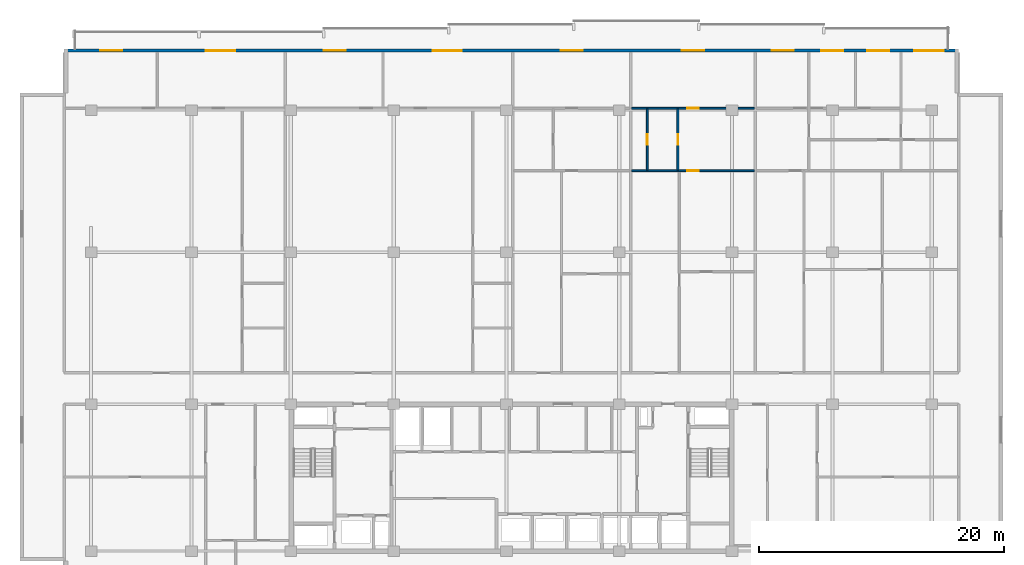
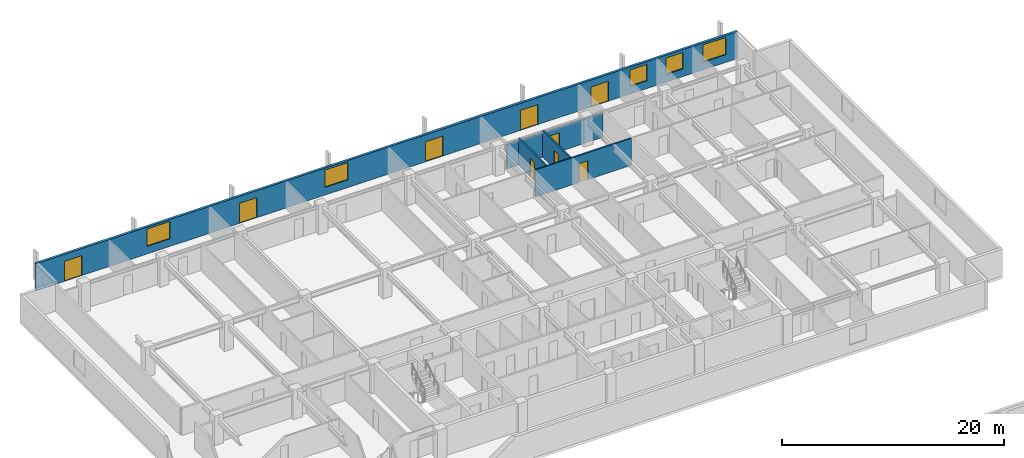
# One storey, part 14 of 21: 9 doors, 5 walls, 5 windows, 14 openings.
"""IFC4 building model written with IfcOpenShell, lengths in metres."""

from ifc_helpers import new_model, si_unit, direction, frame, frame_2d, origin, place, context, subcontext, project, spatial, rectangle, extrude, material, layer, layer_set, type_object, element, fill, save


model = new_model("IFC4")

# Units and contexts
model_context = context("Model", 3, precision=1e-05, world=origin(), true_north=direction((0.0, 1.0)))
body_context = subcontext(model_context, "Body", "Model", "MODEL_VIEW")
ifc_project = project(units=[si_unit("LENGTHUNIT", "METRE"), si_unit("AREAUNIT", "SQUARE_METRE"), si_unit("VOLUMEUNIT", "CUBIC_METRE"), si_unit("PLANEANGLEUNIT", "RADIAN"), si_unit("MASSUNIT", "GRAM", prefix="KILO")], contexts=[model_context])

# Site, building, storey
site_placement = place(None, origin())
site = spatial("IfcSite", under=ifc_project, at=site_placement, CompositionType="ELEMENT")
building_placement = place(site_placement, origin())
building = spatial("IfcBuilding", under=site, at=building_placement, Name="Korimba Cascade Residences", CompositionType="ELEMENT")
storey_placement = place(building_placement, frame((0.0, 0.0, 100.300048828125)))
storey = spatial("IfcBuildingStorey", under=building, at=storey_placement, Name="L28", CompositionType="ELEMENT", Elevation=100.300048828125)

# Wall, openings, doors, windows
ifc_material_1 = material(Name="Precast concrete C40/50", Category="concrete")
ifc_layer_1 = layer(ifc_material_1, 0.25)
ifc_layer_set_1 = layer_set([ifc_layer_1], Name="Precast concrete C40/50")
wall_type_1 = type_object("IfcWallType", Name="EW-LOG-250", PredefinedType="STANDARD", material=ifc_layer_set_1)
wall_1_placement = place(storey_placement, frame((130.60009765625, 96.050048828125, 0.0), z_axis=(0.0, 0.0, 1.0), x_axis=(-1.0, 0.0, 0.0)))
wall_1 = element("IfcWall", 1, at=wall_1_placement, inside=storey, type_object=wall_type_1, Name="L28 T1 Perimeter Stone Wall E06", PredefinedType="STANDARD", context=body_context, shape_type="SweptSolid", body=[
    extrude(rectangle(XDim=73.0, YDim=0.25, at=frame_2d((36.5, 0.0))), origin(), (0.0, 0.0, 1.0), 2.969970703125),
])
opening_1_placement = place(wall_1_placement, frame((68.241943359375, 0.0, 0.0)))
opening_1 = element("IfcOpeningElement", 2, at=opening_1_placement, cuts=wall_1, Name="Opening D-LG1", PredefinedType="OPENING", context=body_context, shape_type="SweptSolid", body=[
    extrude(rectangle(XDim=1.800048828125, YDim=2.199951171875, at=frame_2d((0.89990234375, 1.10009765625))), frame((0.0, 0.135009765625, 0.0), z_axis=(0.0, -1.0, 0.0), x_axis=(1.0, 0.0, 0.0)), (0.0, 0.0, 1.0), 0.27001953125),
])
opening_2_placement = place(wall_1_placement, frame((59.0458984375, 0.0, 0.85009765625)))
opening_2 = element("IfcOpeningElement", 3, at=opening_2_placement, cuts=wall_1, Name="Opening W-01", PredefinedType="OPENING", context=body_context, shape_type="SweptSolid", body=[
    extrude(rectangle(XDim=2.39990234375, YDim=1.89990234375, at=frame_2d((1.199951171875, 0.949951171875))), frame((0.0, 0.135009765625, 0.0), z_axis=(0.0, -1.0, 0.0), x_axis=(1.0, 0.0, 0.0)), (0.0, 0.0, 1.0), 0.27001953125),
])
opening_3_placement = place(wall_1_placement, frame((50.01220703125, 0.0, 0.0)))
opening_3 = element("IfcOpeningElement", 4, at=opening_3_placement, cuts=wall_1, Name="Opening D-LG1", PredefinedType="OPENING", context=body_context, shape_type="SweptSolid", body=[
    extrude(rectangle(XDim=1.800048828125, YDim=2.199951171875, at=frame_2d((0.89990234375, 1.10009765625))), frame((0.0, 0.135009765625, 0.0), z_axis=(0.0, -1.0, 0.0), x_axis=(1.0, 0.0, 0.0)), (0.0, 0.0, 1.0), 0.27001953125),
])
opening_4_placement = place(wall_1_placement, frame((40.535888671875, 0.0, 0.85009765625)))
opening_4 = element("IfcOpeningElement", 5, at=opening_4_placement, cuts=wall_1, Name="Opening W-01", PredefinedType="OPENING", context=body_context, shape_type="SweptSolid", body=[
    extrude(rectangle(XDim=2.39990234375, YDim=1.89990234375, at=frame_2d((1.199951171875, 0.949951171875))), frame((0.0, 0.135009765625, 0.0), z_axis=(0.0, -1.0, 0.0), x_axis=(1.0, 0.0, 0.0)), (0.0, 0.0, 1.0), 0.27001953125),
])
opening_5_placement = place(wall_1_placement, frame((30.67041015625, 0.0, 0.0)))
opening_5 = element("IfcOpeningElement", 6, at=opening_5_placement, cuts=wall_1, Name="Opening D-LG1", PredefinedType="OPENING", context=body_context, shape_type="SweptSolid", body=[
    extrude(rectangle(XDim=1.800048828125, YDim=2.199951171875, at=frame_2d((0.89990234375, 1.10009765625))), frame((0.0, 0.135009765625, 0.0), z_axis=(0.0, -1.0, 0.0), x_axis=(1.0, 0.0, 0.0)), (0.0, 0.0, 1.0), 0.27001953125),
])
opening_6_placement = place(wall_1_placement, frame((20.781005859375, 0.0, 0.0)))
opening_6 = element("IfcOpeningElement", 7, at=opening_6_placement, cuts=wall_1, Name="Opening D-LG1", PredefinedType="OPENING", context=body_context, shape_type="SweptSolid", body=[
    extrude(rectangle(XDim=1.800048828125, YDim=2.199951171875, at=frame_2d((0.89990234375, 1.10009765625))), frame((0.0, 0.135009765625, 0.0), z_axis=(0.0, -1.0, 0.0), x_axis=(1.0, 0.0, 0.0)), (0.0, 0.0, 1.0), 0.27001953125),
])
opening_7_placement = place(wall_1_placement, frame((9.423095703125, 0.0, 0.85009765625)))
opening_7 = element("IfcOpeningElement", 8, at=opening_7_placement, cuts=wall_1, Name="Opening W-02", PredefinedType="OPENING", context=body_context, shape_type="SweptSolid", body=[
    extrude(rectangle(XDim=1.800048828125, YDim=1.800048828125, at=frame_2d((0.89990234375, 0.89990234375))), frame((0.0, 0.135009765625, 0.0), z_axis=(0.0, -1.0, 0.0), x_axis=(1.0, 0.0, 0.0)), (0.0, 0.0, 1.0), 0.27001953125),
])
opening_8_placement = place(wall_1_placement, frame((5.659912109375, 0.0, 0.85009765625)))
opening_8 = element("IfcOpeningElement", 9, at=opening_8_placement, cuts=wall_1, Name="Opening W-02", PredefinedType="OPENING", context=body_context, shape_type="SweptSolid", body=[
    extrude(rectangle(XDim=1.800048828125, YDim=1.800048828125, at=frame_2d((0.89990234375, 0.89990234375))), frame((0.0, 0.135009765625, 0.0), z_axis=(0.0, -1.0, 0.0), x_axis=(1.0, 0.0, 0.0)), (0.0, 0.0, 1.0), 0.27001953125),
])
opening_9_placement = place(wall_1_placement, frame((13.451171875, 0.0, 0.0)))
opening_9 = element("IfcOpeningElement", 10, at=opening_9_placement, cuts=wall_1, Name="Opening D-LG1", PredefinedType="OPENING", context=body_context, shape_type="SweptSolid", body=[
    extrude(rectangle(XDim=1.800048828125, YDim=2.199951171875, at=frame_2d((0.89990234375, 1.10009765625))), frame((0.0, 0.135009765625, 0.0), z_axis=(0.0, -1.0, 0.0), x_axis=(1.0, 0.0, 0.0)), (0.0, 0.0, 1.0), 0.27001953125),
])
opening_10_placement = place(wall_1_placement, frame((1.2099609375, 0.0, 0.85009765625)))
opening_10 = element("IfcOpeningElement", 11, at=opening_10_placement, cuts=wall_1, Name="Opening W-01", PredefinedType="OPENING", context=body_context, shape_type="SweptSolid", body=[
    extrude(rectangle(XDim=2.39990234375, YDim=1.89990234375, at=frame_2d((1.199951171875, 0.949951171875))), frame((0.0, 0.135009765625, 0.0), z_axis=(0.0, -1.0, 0.0), x_axis=(1.0, 0.0, 0.0)), (0.0, 0.0, 1.0), 0.27001953125),
])
ifc_material_2 = material(Name="Glazed Aluminium Loggia Sliding Door", Category="aluminium")
door_type_1 = type_object("IfcDoorType", Name="DR-EXT-LOG", OperationType="NOTDEFINED", PredefinedType="DOOR", material=ifc_material_2)
door_1_placement = place(opening_1_placement, origin())
door_1 = element("IfcDoor", 12, at=door_1_placement, inside=storey, type_object=door_type_1, Name="L28 T1 Loggia Sliding Door 3", OperationType="SLIDING_TO_LEFT", OverallHeight=2.199951171875, OverallWidth=1.800048828125, PredefinedType="DOOR", context=body_context, shape_type="SweptSolid", body=[
    extrude(rectangle(XDim=1.800048828125, YDim=2.199951171875, at=frame_2d((0.89990234375, 1.10009765625))), frame((0.0, 0.02490234375, 0.0), z_axis=(0.0, -1.0, 0.0), x_axis=(1.0, 0.0, 0.0)), (0.0, 0.0, 1.0), 0.050048828125),
])
fill(opening_1, door_1)
door_2_placement = place(opening_3_placement, origin())
door_2 = element("IfcDoor", 13, at=door_2_placement, inside=storey, type_object=door_type_1, Name="L28 T1 Loggia Sliding Door 5", OperationType="SLIDING_TO_LEFT", OverallHeight=2.199951171875, OverallWidth=1.800048828125, PredefinedType="DOOR", context=body_context, shape_type="SweptSolid", body=[
    extrude(rectangle(XDim=1.800048828125, YDim=2.199951171875, at=frame_2d((0.89990234375, 1.10009765625))), frame((0.0, 0.02490234375, 0.0), z_axis=(0.0, -1.0, 0.0), x_axis=(1.0, 0.0, 0.0)), (0.0, 0.0, 1.0), 0.050048828125),
])
fill(opening_3, door_2)
door_3_placement = place(opening_5_placement, origin())
door_3 = element("IfcDoor", 14, at=door_3_placement, inside=storey, type_object=door_type_1, Name="L28 T1 Loggia Sliding Door 7", OperationType="SLIDING_TO_LEFT", OverallHeight=2.199951171875, OverallWidth=1.800048828125, PredefinedType="DOOR", context=body_context, shape_type="SweptSolid", body=[
    extrude(rectangle(XDim=1.800048828125, YDim=2.199951171875, at=frame_2d((0.89990234375, 1.10009765625))), frame((0.0, 0.02490234375, 0.0), z_axis=(0.0, -1.0, 0.0), x_axis=(1.0, 0.0, 0.0)), (0.0, 0.0, 1.0), 0.050048828125),
])
fill(opening_5, door_3)
door_4_placement = place(opening_6_placement, origin())
door_4 = element("IfcDoor", 15, at=door_4_placement, inside=storey, type_object=door_type_1, Name="L28 T1 Loggia Sliding Door 8", OperationType="SLIDING_TO_LEFT", OverallHeight=2.199951171875, OverallWidth=1.800048828125, PredefinedType="DOOR", context=body_context, shape_type="SweptSolid", body=[
    extrude(rectangle(XDim=1.800048828125, YDim=2.199951171875, at=frame_2d((0.89990234375, 1.10009765625))), frame((0.0, 0.02490234375, 0.0), z_axis=(0.0, -1.0, 0.0), x_axis=(1.0, 0.0, 0.0)), (0.0, 0.0, 1.0), 0.050048828125),
])
fill(opening_6, door_4)
door_5_placement = place(opening_9_placement, origin())
door_5 = element("IfcDoor", 16, at=door_5_placement, inside=storey, type_object=door_type_1, Name="L28 T1 Loggia Sliding Door 11", OperationType="SLIDING_TO_LEFT", OverallHeight=2.199951171875, OverallWidth=1.800048828125, PredefinedType="DOOR", context=body_context, shape_type="SweptSolid", body=[
    extrude(rectangle(XDim=1.800048828125, YDim=2.199951171875, at=frame_2d((0.89990234375, 1.10009765625))), frame((0.0, 0.02490234375, 0.0), z_axis=(0.0, -1.0, 0.0), x_axis=(1.0, 0.0, 0.0)), (0.0, 0.0, 1.0), 0.050048828125),
])
fill(opening_9, door_5)
ifc_material_3 = material(Name="Double-Glazed Aluminium Window", Category="aluminium")
window_type_1 = type_object("IfcWindowType", Name="WIN-BED-1800", PartitioningType="SINGLE_PANEL", PredefinedType="WINDOW", material=ifc_material_3)
window_1_placement = place(opening_7_placement, origin())
window_1 = element("IfcWindow", 17, at=window_1_placement, inside=storey, type_object=window_type_1, Name="L28 T1 North Facade Window 9", OverallHeight=1.800048828125, OverallWidth=1.800048828125, PartitioningType="SINGLE_PANEL", PredefinedType="WINDOW", context=body_context, shape_type="SweptSolid", body=[
    extrude(rectangle(XDim=1.800048828125, YDim=1.800048828125, at=frame_2d((0.89990234375, 0.89990234375))), frame((0.0, 0.030029296875, 0.0), z_axis=(0.0, -1.0, 0.0), x_axis=(1.0, 0.0, 0.0)), (0.0, 0.0, 1.0), 0.06005859375),
])
fill(opening_7, window_1)
window_2_placement = place(opening_8_placement, origin())
window_2 = element("IfcWindow", 18, at=window_2_placement, inside=storey, type_object=window_type_1, Name="L28 T1 North Facade Window 10", OverallHeight=1.800048828125, OverallWidth=1.800048828125, PartitioningType="SINGLE_PANEL", PredefinedType="WINDOW", context=body_context, shape_type="SweptSolid", body=[
    extrude(rectangle(XDim=1.800048828125, YDim=1.800048828125, at=frame_2d((0.89990234375, 0.89990234375))), frame((0.0, 0.030029296875, 0.0), z_axis=(0.0, -1.0, 0.0), x_axis=(1.0, 0.0, 0.0)), (0.0, 0.0, 1.0), 0.06005859375),
])
fill(opening_8, window_2)
window_type_2 = type_object("IfcWindowType", Name="WIN-RES-2400", PartitioningType="DOUBLE_PANEL_VERTICAL", PredefinedType="WINDOW", material=ifc_material_3)
window_3_placement = place(opening_2_placement, origin())
window_3 = element("IfcWindow", 19, at=window_3_placement, inside=storey, type_object=window_type_2, Name="L28 T1 North Facade Window 4", OverallHeight=1.89990234375, OverallWidth=2.39990234375, PartitioningType="DOUBLE_PANEL_VERTICAL", PredefinedType="WINDOW", context=body_context, shape_type="SweptSolid", body=[
    extrude(rectangle(XDim=2.39990234375, YDim=1.89990234375, at=frame_2d((1.199951171875, 0.949951171875))), frame((0.0, 0.030029296875, 0.0), z_axis=(0.0, -1.0, 0.0), x_axis=(1.0, 0.0, 0.0)), (0.0, 0.0, 1.0), 0.06005859375),
])
fill(opening_2, window_3)
window_4_placement = place(opening_4_placement, origin())
window_4 = element("IfcWindow", 20, at=window_4_placement, inside=storey, type_object=window_type_2, Name="L28 T1 North Facade Window 6", OverallHeight=1.89990234375, OverallWidth=2.39990234375, PartitioningType="DOUBLE_PANEL_VERTICAL", PredefinedType="WINDOW", context=body_context, shape_type="SweptSolid", body=[
    extrude(rectangle(XDim=2.39990234375, YDim=1.89990234375, at=frame_2d((1.199951171875, 0.949951171875))), frame((0.0, 0.030029296875, 0.0), z_axis=(0.0, -1.0, 0.0), x_axis=(1.0, 0.0, 0.0)), (0.0, 0.0, 1.0), 0.06005859375),
])
fill(opening_4, window_4)
window_5_placement = place(opening_10_placement, origin())
window_5 = element("IfcWindow", 21, at=window_5_placement, inside=storey, type_object=window_type_2, Name="L28 T1 North Facade Window 12", OverallHeight=1.89990234375, OverallWidth=2.39990234375, PartitioningType="DOUBLE_PANEL_VERTICAL", PredefinedType="WINDOW", context=body_context, shape_type="SweptSolid", body=[
    extrude(rectangle(XDim=2.39990234375, YDim=1.89990234375, at=frame_2d((1.199951171875, 0.949951171875))), frame((0.0, 0.030029296875, 0.0), z_axis=(0.0, -1.0, 0.0), x_axis=(1.0, 0.0, 0.0)), (0.0, 0.0, 1.0), 0.06005859375),
])
fill(opening_10, window_5)

# Wall, opening, door
ifc_material_4 = material(Name="Insulated Acoustic Stud Partition", Category="gypsum")
ifc_layer_2 = layer(ifc_material_4, 0.14990234375)
ifc_layer_set_2 = layer_set([ifc_layer_2], Name="Insulated Acoustic Stud Partition")
wall_type_2 = type_object("IfcWallType", Name="WAL-PART-150", PredefinedType="PARTITIONING", material=ifc_layer_set_2)
wall_2_placement = place(storey_placement, frame((105.183837890625, 86.2900390625, 0.0), z_axis=(0.0, 0.0, 1.0), x_axis=(0.0, 1.0, 0.0)))
wall_2 = element("IfcWall", 22, at=wall_2_placement, inside=storey, type_object=wall_type_2, Name="L28 Partition Wall WAL-L28-T1-U04-CLS", PredefinedType="PARTITIONING", context=body_context, shape_type="SweptSolid", body=[
    extrude(rectangle(XDim=5.0, YDim=0.14990234375, at=frame_2d((2.5, 0.0))), origin(), (0.0, 0.0, 1.0), 2.969970703125),
])
opening_11_placement = place(wall_2_placement, frame((2.080078125, 0.0, 0.0)))
opening_11 = element("IfcOpeningElement", 23, at=opening_11_placement, cuts=wall_2, Name="Opening D-BT1", PredefinedType="OPENING", context=body_context, shape_type="SweptSolid", body=[
    extrude(rectangle(XDim=0.840087890625, YDim=2.0400390625, at=frame_2d((0.419921875, 1.02001953125))), frame((0.0, 0.0849609375, 0.0), z_axis=(0.0, -1.0, 0.0), x_axis=(1.0, 0.0, 0.0)), (0.0, 0.0, 1.0), 0.169921875),
])
ifc_material_5 = material(Name="Moisture-Resistant Bathroom Timber Door", Category="wood")
door_type_2 = type_object("IfcDoorType", Name="DR-INT-850", OperationType="NOTDEFINED", PredefinedType="DOOR", material=ifc_material_5)
door_6_placement = place(opening_11_placement, origin())
door_6 = element("IfcDoor", 24, at=door_6_placement, inside=storey, type_object=door_type_2, Name="L28-T1-U04 Closet Door", OperationType="SINGLE_SWING_LEFT", OverallHeight=2.0400390625, OverallWidth=0.840087890625, PredefinedType="DOOR", context=body_context, shape_type="SweptSolid", body=[
    extrude(rectangle(XDim=0.840087890625, YDim=2.0400390625, at=frame_2d((0.419921875, 1.02001953125))), frame((0.0, 0.02490234375, 0.0), z_axis=(0.0, -1.0, 0.0), x_axis=(1.0, 0.0, 0.0)), (0.0, 0.0, 1.0), 0.050048828125),
])
fill(opening_11, door_6)

wall_3_placement = place(storey_placement, frame((107.683837890625, 86.2900390625, 0.0), z_axis=(0.0, 0.0, 1.0), x_axis=(0.0, 1.0, 0.0)))
wall_3 = element("IfcWall", 25, at=wall_3_placement, inside=storey, type_object=wall_type_2, Name="L28 Partition Wall WAL-L28-T1-U04-BM", PredefinedType="PARTITIONING", context=body_context, shape_type="SweptSolid", body=[
    extrude(rectangle(XDim=5.0, YDim=0.14990234375, at=frame_2d((2.5, 0.0))), origin(), (0.0, 0.0, 1.0), 2.969970703125),
])
opening_12_placement = place(wall_3_placement, frame((2.080078125, 0.0, 0.0)))
opening_12 = element("IfcOpeningElement", 26, at=opening_12_placement, cuts=wall_3, Name="Opening D-BT1", PredefinedType="OPENING", context=body_context, shape_type="SweptSolid", body=[
    extrude(rectangle(XDim=0.840087890625, YDim=2.0400390625, at=frame_2d((0.419921875, 1.02001953125))), frame((0.0, 0.0849609375, 0.0), z_axis=(0.0, -1.0, 0.0), x_axis=(1.0, 0.0, 0.0)), (0.0, 0.0, 1.0), 0.169921875),
])
door_7_placement = place(opening_12_placement, origin())
door_7 = element("IfcDoor", 27, at=door_7_placement, inside=storey, type_object=door_type_2, Name="L28-T1-U04 Bathroom Door", OperationType="SINGLE_SWING_RIGHT", OverallHeight=2.0400390625, OverallWidth=0.840087890625, PredefinedType="DOOR", context=body_context, shape_type="SweptSolid", body=[
    extrude(rectangle(XDim=0.840087890625, YDim=2.0400390625, at=frame_2d((0.419921875, 1.02001953125))), frame((0.0, 0.02490234375, 0.0), z_axis=(0.0, -1.0, 0.0), x_axis=(1.0, 0.0, 0.0)), (0.0, 0.0, 1.0), 0.050048828125),
])
fill(opening_12, door_7)

wall_4_placement = place(storey_placement, frame((103.9140625, 86.25, 0.0), z_axis=(0.0, 0.0, 1.0), x_axis=(1.0, 0.0, 0.0)))
wall_4 = element("IfcWall", 28, at=wall_4_placement, inside=storey, type_object=wall_type_2, Name="L28 Partition Wall WAL-L28-T1-U04-MW", PredefinedType="PARTITIONING", context=body_context, shape_type="SweptSolid", body=[
    extrude(rectangle(XDim=10.009765625, YDim=0.14990234375, at=frame_2d((5.0048828125, 0.0))), origin(), (0.0, 0.0, 1.0), 2.969970703125),
])
opening_13_placement = place(wall_4_placement, frame((4.544921875, 0.0, 0.0)))
opening_13 = element("IfcOpeningElement", 29, at=opening_13_placement, cuts=wall_4, Name="Opening D-IN1", PredefinedType="OPENING", context=body_context, shape_type="SweptSolid", body=[
    extrude(rectangle(XDim=0.919921875, YDim=2.080078125, at=frame_2d((0.4599609375, 1.0400390625))), frame((0.0, 0.0849609375, 0.0), z_axis=(0.0, -1.0, 0.0), x_axis=(1.0, 0.0, 0.0)), (0.0, 0.0, 1.0), 0.169921875),
])
ifc_material_6 = material(Name="Acoustic Timber Living Door", Category="wood")
door_type_3 = type_object("IfcDoorType", Name="DR-INT-920", OperationType="NOTDEFINED", PredefinedType="DOOR", material=ifc_material_6)
door_8_placement = place(opening_13_placement, origin())
door_8 = element("IfcDoor", 30, at=door_8_placement, inside=storey, type_object=door_type_3, Name="L28-T1-U04 Studio Kitchen Door", OperationType="SINGLE_SWING_LEFT", OverallHeight=2.080078125, OverallWidth=0.919921875, PredefinedType="DOOR", context=body_context, shape_type="SweptSolid", body=[
    extrude(rectangle(XDim=0.919921875, YDim=2.080078125, at=frame_2d((0.4599609375, 1.0400390625))), frame((0.0, 0.02490234375, 0.0), z_axis=(0.0, -1.0, 0.0), x_axis=(1.0, 0.0, 0.0)), (0.0, 0.0, 1.0), 0.050048828125),
])
fill(opening_13, door_8)

wall_5_placement = place(storey_placement, frame((103.9140625, 91.35009765625, 0.0), z_axis=(0.0, 0.0, 1.0), x_axis=(1.0, 0.0, 0.0)))
wall_5 = element("IfcWall", 31, at=wall_5_placement, inside=storey, type_object=wall_type_2, Name="L28 Partition Wall WAL-L28-T1-U04-HZ", PredefinedType="PARTITIONING", context=body_context, shape_type="SweptSolid", body=[
    extrude(rectangle(XDim=10.009765625, YDim=0.14990234375, at=frame_2d((5.0048828125, 0.0))), origin(), (0.0, 0.0, 1.0), 2.663330078125),
])
opening_14_placement = place(wall_5_placement, frame((4.544921875, 0.0, 0.0)))
opening_14 = element("IfcOpeningElement", 32, at=opening_14_placement, cuts=wall_5, Name="Opening D-IN1", PredefinedType="OPENING", context=body_context, shape_type="SweptSolid", body=[
    extrude(rectangle(XDim=0.919921875, YDim=2.080078125, at=frame_2d((0.4599609375, 1.0400390625))), frame((0.0, 0.0849609375, 0.0), z_axis=(0.0, -1.0, 0.0), x_axis=(1.0, 0.0, 0.0)), (0.0, 0.0, 1.0), 0.169921875),
])
door_9_placement = place(opening_14_placement, origin())
door_9 = element("IfcDoor", 33, at=door_9_placement, inside=storey, type_object=door_type_3, Name="L28-T1-U04 Studio Door", OperationType="SINGLE_SWING_RIGHT", OverallHeight=2.080078125, OverallWidth=0.919921875, PredefinedType="DOOR", context=body_context, shape_type="SweptSolid", body=[
    extrude(rectangle(XDim=0.919921875, YDim=2.080078125, at=frame_2d((0.4599609375, 1.0400390625))), frame((0.0, 0.02490234375, 0.0), z_axis=(0.0, -1.0, 0.0), x_axis=(1.0, 0.0, 0.0)), (0.0, 0.0, 1.0), 0.050048828125),
])
fill(opening_14, door_9)

save(model, "model.ifc")
